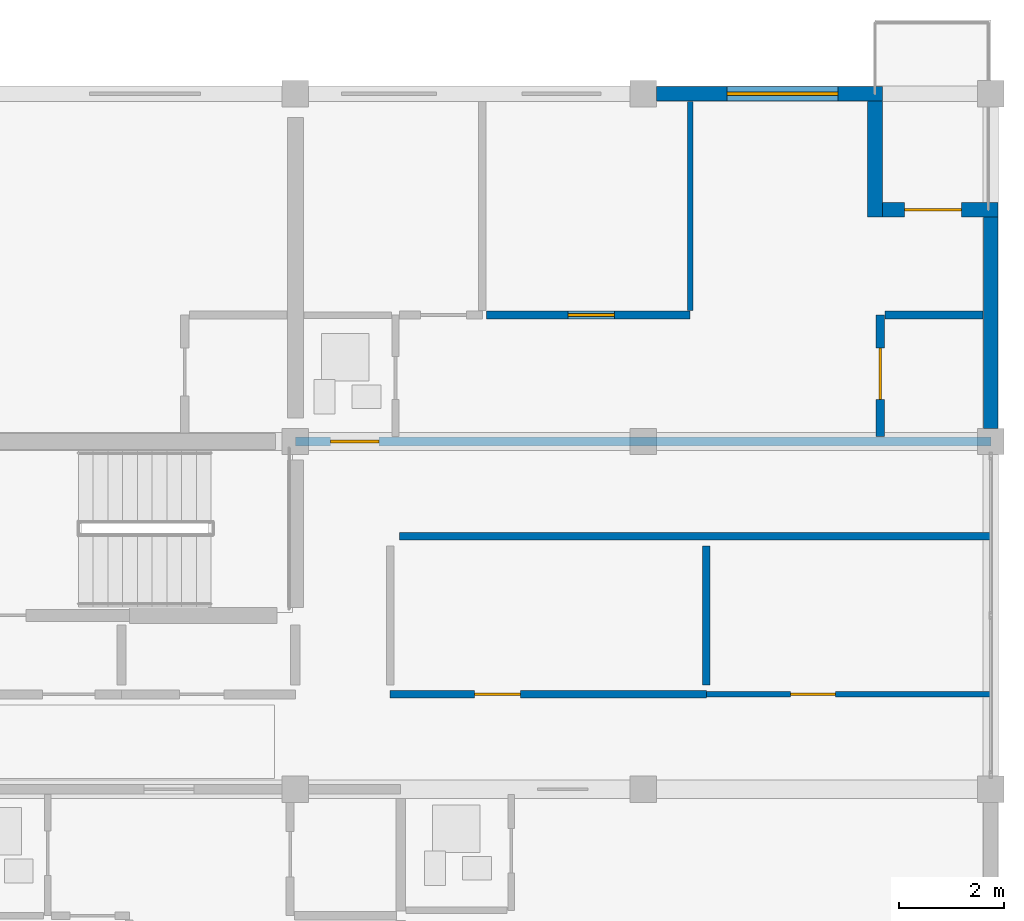
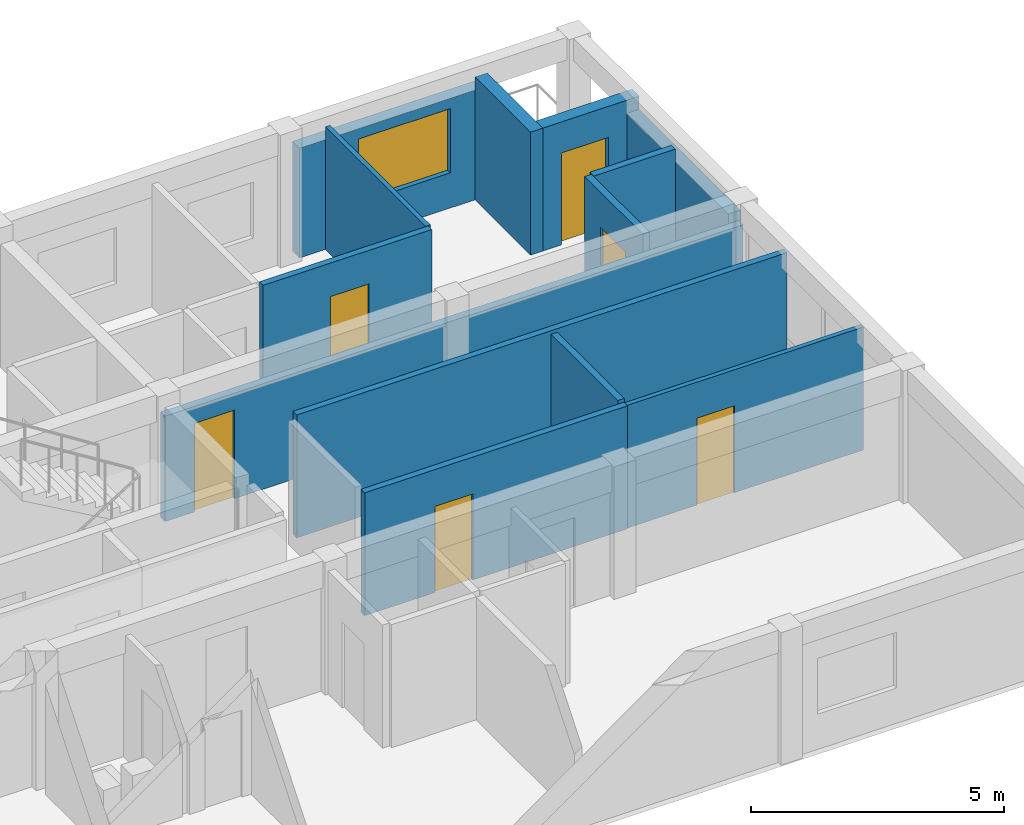
# One storey, part 38 of 46: 13 walls, 6 doors, 1 window, 7 openings.
"""IFC4 building model written with IfcOpenShell, lengths in metres."""

from ifc_helpers import new_model, si_unit, direction, frame, frame_2d, origin, place, context, subcontext, project, spatial, rectangle, extrude, material, layer, layer_set, type_object, element, fill, save


model = new_model("IFC4")

# Units and contexts
model_context = context("Model", 3, precision=1e-05, world=origin(), true_north=direction((0.0, 1.0)))
body_context = subcontext(model_context, "Body", "Model", "MODEL_VIEW")
ifc_project = project(units=[si_unit("LENGTHUNIT", "METRE"), si_unit("AREAUNIT", "SQUARE_METRE"), si_unit("VOLUMEUNIT", "CUBIC_METRE"), si_unit("PLANEANGLEUNIT", "RADIAN"), si_unit("MASSUNIT", "GRAM", prefix="KILO")], contexts=[model_context])

# Site, building, storey
site_placement = place(None, origin())
site = spatial("IfcSite", under=ifc_project, at=site_placement, CompositionType="ELEMENT")
building_placement = place(site_placement, origin())
building = spatial("IfcBuilding", under=site, at=building_placement, Name="Kernevlak Ridge Housing Community", CompositionType="ELEMENT")
storey_placement = place(building_placement, frame((0.0, 0.0, 27.60009765625)))
storey = spatial("IfcBuildingStorey", under=building, at=storey_placement, Name="L08", CompositionType="ELEMENT", Elevation=27.60009765625)

# Wall, opening, window
ifc_material_1 = material(Name="Concrete block masonry M10", Category="masonry")
ifc_layer_1 = layer(ifc_material_1, 0.280029296875, Name="Concrete block masonry M10")
ifc_layer_set_1 = layer_set([ifc_layer_1], Name="Concrete block masonry M10")
wall_type_1 = type_object("IfcWallType", Name="EW-03", PredefinedType="STANDARD", material=ifc_layer_set_1)
wall_1_placement = place(storey_placement, frame((146.050048828125, 102.39990234375, 0.0), z_axis=(0.0, 0.0, 1.0), x_axis=(1.0, 0.0, 0.0)))
wall_1 = element("IfcWall", 1, at=wall_1_placement, inside=storey, type_object=wall_type_1, Name="Exterior wall EW-03 L08 428", PredefinedType="STANDARD", context=body_context, shape_type="SweptSolid", body=[
    extrude(rectangle(XDim=4.2900390625, YDim=0.280029296875, at=frame_2d((2.14501953125, 0.0))), origin(), (0.0, 0.0, 1.0), 2.64990234375),
])
opening_1_placement = place(wall_1_placement, frame((1.345947265625, 0.0, 0.85009765625)))
opening_1 = element("IfcOpeningElement", 2, at=opening_1_placement, cuts=wall_1, Name="Opening WT-05", PredefinedType="OPENING", context=body_context, shape_type="SweptSolid", body=[
    extrude(rectangle(XDim=2.10009765625, YDim=1.550048828125, at=frame_2d((1.050048828125, 0.77490234375))), frame((0.0, 0.14990234375, 0.0), z_axis=(0.0, -1.0, 0.0), x_axis=(1.0, 0.0, 0.0)), (0.0, 0.0, 1.0), 0.300048828125),
])
ifc_material_2 = material(Name="Aluminium EN AW-6060 anodised and laminated glass", Category="aluminium")
window_type = type_object("IfcWindowType", Name="WT-05", PartitioningType="SINGLE_PANEL", PredefinedType="WINDOW", material=ifc_material_2)
window_placement = place(opening_1_placement, origin())
window = element("IfcWindow", 3, at=window_placement, inside=storey, type_object=window_type, Name="Window WT-05 L08 334", OverallHeight=1.550048828125, OverallWidth=2.10009765625, PartitioningType="SINGLE_PANEL", PredefinedType="WINDOW", context=body_context, shape_type="SweptSolid", body=[
    extrude(rectangle(XDim=2.10009765625, YDim=1.550048828125, at=frame_2d((1.050048828125, 0.77490234375))), frame((0.0, 0.030029296875, 0.0), z_axis=(0.0, -1.0, 0.0), x_axis=(1.0, 0.0, 0.0)), (0.0, 0.0, 1.0), 0.06005859375),
])
fill(opening_1, window)

# Wall
wall_2_placement = place(storey_placement, frame((150.199951171875, 102.260009765625, 0.0), z_axis=(0.0, 0.0, 1.0), x_axis=(0.0, -1.0, 0.0)))
element("IfcWall", 4, at=wall_2_placement, inside=storey, type_object=wall_type_1, Name="Exterior wall EW-03 L08 429", PredefinedType="STANDARD", context=body_context, shape_type="SweptSolid", body=[
    extrude(rectangle(XDim=2.199951171875, YDim=0.280029296875, at=frame_2d((1.10009765625, 0.0))), origin(), (0.0, 0.0, 1.0), 2.969970703125),
])

# Wall, opening, door
wall_3_placement = place(storey_placement, frame((150.340087890625, 100.199951171875, 0.0), z_axis=(0.0, 0.0, 1.0), x_axis=(1.0, 0.0, 0.0)))
wall_3 = element("IfcWall", 5, at=wall_3_placement, inside=storey, type_object=wall_type_1, Name="Exterior wall EW-03 L08 430", PredefinedType="STANDARD", context=body_context, shape_type="SweptSolid", body=[
    extrude(rectangle(XDim=2.199951171875, YDim=0.280029296875, at=frame_2d((1.10009765625, 0.0))), origin(), (0.0, 0.0, 1.0), 2.969970703125),
])
opening_2_placement = place(wall_3_placement, frame((0.419921875, 0.0, 0.0)))
opening_2 = element("IfcOpeningElement", 6, at=opening_2_placement, cuts=wall_3, Name="Opening D862", PredefinedType="OPENING", context=body_context, shape_type="SweptSolid", body=[
    extrude(rectangle(XDim=1.080078125, YDim=2.219970703125, at=frame_2d((0.5400390625, 1.10986328125))), frame((0.0, 0.14990234375, 0.0), z_axis=(0.0, -1.0, 0.0), x_axis=(1.0, 0.0, 0.0)), (0.0, 0.0, 1.0), 0.300048828125),
])
ifc_material_3 = material(Name="Aluminium EN AW-6060 and laminated safety glass", Category="aluminium")
door_type_1 = type_object("IfcDoorType", Name="DT-34", OperationType="NOTDEFINED", PredefinedType="DOOR", material=ifc_material_3)
door_1_placement = place(opening_2_placement, origin())
door_1 = element("IfcDoor", 7, at=door_1_placement, inside=storey, type_object=door_type_1, Name="Flat B0823 corner balcony glazed door D862", OperationType="SINGLE_SWING_RIGHT", OverallHeight=2.219970703125, OverallWidth=1.080078125, PredefinedType="DOOR", context=body_context, shape_type="SweptSolid", body=[
    extrude(rectangle(XDim=1.080078125, YDim=2.219970703125, at=frame_2d((0.5400390625, 1.10986328125))), frame((0.0, 0.02490234375, 0.0), z_axis=(0.0, -1.0, 0.0), x_axis=(1.0, 0.0, 0.0)), (0.0, 0.0, 1.0), 0.050048828125),
])
fill(opening_2, door_1)

# Wall
wall_4_placement = place(storey_placement, frame((152.39990234375, 96.050048828125, 0.0), z_axis=(0.0, 0.0, 1.0), x_axis=(0.0, 1.0, 0.0)))
element("IfcWall", 8, at=wall_4_placement, inside=storey, type_object=wall_type_1, Name="Exterior wall EW-03 L08 434", PredefinedType="STANDARD", context=body_context, shape_type="SweptSolid", body=[
    extrude(rectangle(XDim=4.010009765625, YDim=0.280029296875, at=frame_2d((2.0048828125, 0.0))), origin(), (0.0, 0.0, 1.0), 2.64990234375),
])

# Wall, opening, door
ifc_layer_2 = layer(ifc_material_1, 0.175048828125, Name="Concrete block masonry M10")
ifc_layer_set_2 = layer_set([ifc_layer_2], Name="Concrete block masonry M10")
wall_type_2 = type_object("IfcWallType", Name="PW-02", PredefinedType="PARTITIONING", material=ifc_layer_set_2)
wall_5_placement = place(storey_placement, frame((139.199951171875, 95.800048828125, 0.0), z_axis=(0.0, 0.0, 1.0), x_axis=(1.0, 0.0, 0.0)))
wall_5 = element("IfcWall", 9, at=wall_5_placement, inside=storey, type_object=wall_type_2, Name="Interior wall PW-02 WAL-INT-L08-1693", PredefinedType="PARTITIONING", context=body_context, shape_type="SweptSolid", body=[
    extrude(rectangle(XDim=13.199951171875, YDim=0.175048828125, at=frame_2d((6.60009765625, 0.0))), origin(), (0.0, 0.0, 1.0), 2.5498046875),
])
opening_3_placement = place(wall_5_placement, frame((0.669921875, 0.0, 0.0)))
opening_3 = element("IfcOpeningElement", 10, at=opening_3_placement, cuts=wall_5, Name="Opening D857", PredefinedType="OPENING", context=body_context, shape_type="SweptSolid", body=[
    extrude(rectangle(XDim=0.919921875, YDim=2.139892578125, at=frame_2d((0.4599609375, 1.06982421875))), frame((0.0, 0.097412109375, 0.0), z_axis=(0.0, -1.0, 0.0), x_axis=(1.0, 0.0, 0.0)), (0.0, 0.0, 1.0), 0.195068359375),
])
ifc_material_4 = material(Name="Hardwood timber solid-core fire leaf", Category="wood")
door_type_2 = type_object("IfcDoorType", Name="DT-20", OperationType="NOTDEFINED", PredefinedType="DOOR", material=ifc_material_4)
door_2_placement = place(opening_3_placement, origin())
door_2 = element("IfcDoor", 11, at=door_2_placement, inside=storey, type_object=door_type_2, Name="Flat B0823 entrance fire door D857", OperationType="SINGLE_SWING_LEFT", OverallHeight=2.139892578125, OverallWidth=0.919921875, PredefinedType="DOOR", context=body_context, shape_type="SweptSolid", body=[
    extrude(rectangle(XDim=0.919921875, YDim=2.139892578125, at=frame_2d((0.4599609375, 1.06982421875))), frame((0.0, 0.02490234375, 0.0), z_axis=(0.0, -1.0, 0.0), x_axis=(1.0, 0.0, 0.0)), (0.0, 0.0, 1.0), 0.050048828125),
])
fill(opening_3, door_2)

ifc_layer_3 = layer(ifc_material_1, 0.14501953125, Name="Concrete block masonry M10")
ifc_layer_set_3 = layer_set([ifc_layer_3], Name="Concrete block masonry M10")
wall_type_3 = type_object("IfcWallType", Name="PW-03", PredefinedType="PARTITIONING", material=ifc_layer_set_3)
wall_6_placement = place(storey_placement, frame((141.0, 91.0, 0.0), z_axis=(0.0, 0.0, 1.0), x_axis=(1.0, 0.0, 0.0)))
wall_6 = element("IfcWall", 12, at=wall_6_placement, inside=storey, type_object=wall_type_3, Name="Interior wall PW-03 WAL-INT-L08-1655", PredefinedType="PARTITIONING", context=body_context, shape_type="SweptSolid", body=[
    extrude(rectangle(XDim=6.0, YDim=0.14501953125, at=frame_2d((3.0, 0.0))), origin(), (0.0, 0.0, 1.0), 2.969970703125),
])
opening_4_placement = place(wall_6_placement, frame((1.60009765625, 0.0, 0.0)))
opening_4 = element("IfcOpeningElement", 13, at=opening_4_placement, cuts=wall_6, Name="Opening D837", PredefinedType="OPENING", context=body_context, shape_type="SweptSolid", body=[
    extrude(rectangle(XDim=0.8701171875, YDim=2.080078125, at=frame_2d((0.43505859375, 1.0400390625))), frame((0.0, 0.08251953125, 0.0), z_axis=(0.0, -1.0, 0.0), x_axis=(1.0, 0.0, 0.0)), (0.0, 0.0, 1.0), 0.1650390625),
])
ifc_material_5 = material(Name="Hardwood timber leaf", Category="wood")
door_type_3 = type_object("IfcDoorType", Name="DT-32", OperationType="NOTDEFINED", PredefinedType="DOOR", material=ifc_material_5)
door_3_placement = place(opening_4_placement, origin())
door_3 = element("IfcDoor", 14, at=door_3_placement, inside=storey, type_object=door_type_3, Name="Block B Laundry room door D837", OperationType="SINGLE_SWING_LEFT", OverallHeight=2.080078125, OverallWidth=0.8701171875, PredefinedType="DOOR", context=body_context, shape_type="SweptSolid", body=[
    extrude(rectangle(XDim=0.8701171875, YDim=2.080078125, at=frame_2d((0.43505859375, 1.0400390625))), frame((0.0, 0.02490234375, 0.0), z_axis=(0.0, -1.0, 0.0), x_axis=(1.0, 0.0, 0.0)), (0.0, 0.0, 1.0), 0.050048828125),
])
fill(opening_4, door_3)

# Walls
wall_7_placement = place(storey_placement, frame((147.0, 91.179931640625, 0.0), z_axis=(0.0, 0.0, 1.0), x_axis=(0.0, 1.0, 0.0)))
element("IfcWall", 15, at=wall_7_placement, inside=storey, type_object=wall_type_3, Name="Interior wall PW-03 WAL-INT-L08-1657", PredefinedType="PARTITIONING", context=body_context, shape_type="SweptSolid", body=[
    extrude(rectangle(XDim=2.64013671875, YDim=0.14501953125, at=frame_2d((1.320068359375, 0.0))), origin(), (0.0, 0.0, 1.0), 2.969970703125),
])
wall_8_placement = place(storey_placement, frame((141.179931640625, 94.0, 0.0), z_axis=(0.0, 0.0, 1.0), x_axis=(1.0, 0.0, 0.0)))
element("IfcWall", 16, at=wall_8_placement, inside=storey, type_object=wall_type_3, Name="Interior wall PW-03 WAL-INT-L08-1658", PredefinedType="PARTITIONING", context=body_context, shape_type="SweptSolid", body=[
    extrude(rectangle(XDim=11.199951171875, YDim=0.14501953125, at=frame_2d((5.60009765625, 0.0))), origin(), (0.0, 0.0, 1.0), 2.969970703125),
])

# Wall, opening, door
wall_9_placement = place(storey_placement, frame((142.83251953125, 98.199951171875, 0.0), z_axis=(0.0, 0.0, 1.0), x_axis=(1.0, 0.0, 0.0)))
wall_9 = element("IfcWall", 17, at=wall_9_placement, inside=storey, type_object=wall_type_3, Name="Interior wall PW-03 WAL-INT-L08-1700", PredefinedType="PARTITIONING", context=body_context, shape_type="SweptSolid", body=[
    extrude(rectangle(XDim=3.859375, YDim=0.14501953125, at=frame_2d((1.9296875, 0.0))), origin(), (0.0, 0.0, 1.0), 2.969970703125),
])
opening_5_placement = place(wall_9_placement, frame((1.5458984375, 0.0, 0.0)))
opening_5 = element("IfcOpeningElement", 18, at=opening_5_placement, cuts=wall_9, Name="Opening D861", PredefinedType="OPENING", context=body_context, shape_type="SweptSolid", body=[
    extrude(rectangle(XDim=0.8798828125, YDim=2.159912109375, at=frame_2d((0.43994140625, 1.080078125))), frame((0.0, 0.08251953125, 0.0), z_axis=(0.0, -1.0, 0.0), x_axis=(1.0, 0.0, 0.0)), (0.0, 0.0, 1.0), 0.1650390625),
])
door_type_4 = type_object("IfcDoorType", Name="DT-26", OperationType="NOTDEFINED", PredefinedType="DOOR", material=ifc_material_5)
door_4_placement = place(opening_5_placement, origin())
door_4 = element("IfcDoor", 19, at=door_4_placement, inside=storey, type_object=door_type_4, Name="Flat B0823 bedroom door D861", OperationType="SINGLE_SWING_LEFT", OverallHeight=2.159912109375, OverallWidth=0.8798828125, PredefinedType="DOOR", context=body_context, shape_type="SweptSolid", body=[
    extrude(rectangle(XDim=0.8798828125, YDim=2.159912109375, at=frame_2d((0.43994140625, 1.080078125))), frame((0.0, 0.02490234375, 0.0), z_axis=(0.0, -1.0, 0.0), x_axis=(1.0, 0.0, 0.0)), (0.0, 0.0, 1.0), 0.050048828125),
])
fill(opening_5, door_4)

ifc_material_6 = material(Name="Gypsum plasterboard EN 520", Category="gypsum")
ifc_layer_4 = layer(ifc_material_6, 0.155029296875, Name="Gypsum plasterboard EN 520")
ifc_layer_set_4 = layer_set([ifc_layer_4], Name="Gypsum plasterboard EN 520")
wall_type_4 = type_object("IfcWallType", Name="PW-05", PredefinedType="PARTITIONING", material=ifc_layer_set_4)
wall_10_placement = place(storey_placement, frame((150.300048828125, 95.8974609375, 0.0), z_axis=(0.0, 0.0, 1.0), x_axis=(0.0, 1.0, 0.0)))
wall_10 = element("IfcWall", 20, at=wall_10_placement, inside=storey, type_object=wall_type_4, Name="Interior wall PW-05 WAL-INT-L08-1696", PredefinedType="PARTITIONING", context=body_context, shape_type="SweptSolid", body=[
    extrude(rectangle(XDim=2.302490234375, YDim=0.155029296875, at=frame_2d((1.1513671875, 0.0))), origin(), (0.0, 0.0, 1.0), 2.969970703125),
])
opening_6_placement = place(wall_10_placement, frame((0.699951171875, 0.0, 0.0)))
opening_6 = element("IfcOpeningElement", 21, at=opening_6_placement, cuts=wall_10, Name="Opening D859", PredefinedType="OPENING", context=body_context, shape_type="SweptSolid", body=[
    extrude(rectangle(XDim=0.97998046875, YDim=2.1201171875, at=frame_2d((0.489990234375, 1.06005859375))), frame((0.0, 0.08740234375, 0.0), z_axis=(0.0, -1.0, 0.0), x_axis=(1.0, 0.0, 0.0)), (0.0, 0.0, 1.0), 0.175048828125),
])
door_type_5 = type_object("IfcDoorType", Name="DT-24", OperationType="NOTDEFINED", PredefinedType="DOOR", material=ifc_material_5)
door_5_placement = place(opening_6_placement, origin())
door_5 = element("IfcDoor", 22, at=door_5_placement, inside=storey, type_object=door_type_5, Name="Flat B0823 kitchen door D859", OperationType="SINGLE_SWING_LEFT", OverallHeight=2.1201171875, OverallWidth=0.97998046875, PredefinedType="DOOR", context=body_context, shape_type="SweptSolid", body=[
    extrude(rectangle(XDim=0.97998046875, YDim=2.1201171875, at=frame_2d((0.489990234375, 1.06005859375))), frame((0.0, 0.02490234375, 0.0), z_axis=(0.0, -1.0, 0.0), x_axis=(1.0, 0.0, 0.0)), (0.0, 0.0, 1.0), 0.050048828125),
])
fill(opening_6, door_5)

# Wall
wall_11_placement = place(storey_placement, frame((150.387451171875, 98.199951171875, 0.0), z_axis=(0.0, 0.0, 1.0), x_axis=(1.0, 0.0, 0.0)))
element("IfcWall", 23, at=wall_11_placement, inside=storey, type_object=wall_type_4, Name="Interior wall PW-05 WAL-INT-L08-1697", PredefinedType="PARTITIONING", context=body_context, shape_type="SweptSolid", body=[
    extrude(rectangle(XDim=1.862548828125, YDim=0.155029296875, at=frame_2d((0.93115234375, 0.0))), origin(), (0.0, 0.0, 1.0), 2.969970703125),
])

# Wall, opening, door
ifc_layer_5 = layer(ifc_material_6, 0.10498046875, Name="Gypsum plasterboard EN 520")
ifc_layer_set_5 = layer_set([ifc_layer_5], Name="Gypsum plasterboard EN 520")
wall_type_5 = type_object("IfcWallType", Name="PW-06", PredefinedType="PARTITIONING", material=ifc_layer_set_5)
wall_12_placement = place(storey_placement, frame((147.0, 91.0, 0.0), z_axis=(0.0, 0.0, 1.0), x_axis=(1.0, 0.0, 0.0)))
wall_12 = element("IfcWall", 24, at=wall_12_placement, inside=storey, type_object=wall_type_5, Name="Interior wall PW-06 WAL-INT-L08-1656", PredefinedType="PARTITIONING", context=body_context, shape_type="SweptSolid", body=[
    extrude(rectangle(XDim=5.39990234375, YDim=0.10498046875, at=frame_2d((2.699951171875, 0.0))), origin(), (0.0, 0.0, 1.0), 2.969970703125),
])
opening_7_placement = place(wall_12_placement, frame((1.60009765625, 0.0, 0.0)))
opening_7 = element("IfcOpeningElement", 25, at=opening_7_placement, cuts=wall_12, Name="Opening D838", PredefinedType="OPENING", context=body_context, shape_type="SweptSolid", body=[
    extrude(rectangle(XDim=0.85009765625, YDim=2.10009765625, at=frame_2d((0.425048828125, 1.050048828125))), frame((0.0, 0.0625, 0.0), z_axis=(0.0, -1.0, 0.0), x_axis=(1.0, 0.0, 0.0)), (0.0, 0.0, 1.0), 0.125),
])
door_type_6 = type_object("IfcDoorType", Name="DT-03", OperationType="NOTDEFINED", PredefinedType="DOOR", material=ifc_material_5)
door_6_placement = place(opening_7_placement, origin())
door_6 = element("IfcDoor", 26, at=door_6_placement, inside=storey, type_object=door_type_6, Name="Block B Study room door D838", OperationType="SINGLE_SWING_RIGHT", OverallHeight=2.10009765625, OverallWidth=0.85009765625, PredefinedType="DOOR", context=body_context, shape_type="SweptSolid", body=[
    extrude(rectangle(XDim=0.85009765625, YDim=2.10009765625, at=frame_2d((0.425048828125, 1.050048828125))), frame((0.0, 0.02490234375, 0.0), z_axis=(0.0, -1.0, 0.0), x_axis=(1.0, 0.0, 0.0)), (0.0, 0.0, 1.0), 0.050048828125),
])
fill(opening_7, door_6)

# Wall
wall_13_placement = place(storey_placement, frame((146.69189453125, 98.282470703125, 0.0), z_axis=(0.0, 0.0, 1.0), x_axis=(0.0, 1.0, 0.0)))
element("IfcWall", 27, at=wall_13_placement, inside=storey, type_object=wall_type_5, Name="Interior wall PW-06 WAL-INT-L08-1701", PredefinedType="PARTITIONING", context=body_context, shape_type="SweptSolid", body=[
    extrude(rectangle(XDim=3.967529296875, YDim=0.10498046875, at=frame_2d((1.98388671875, 0.0))), origin(), (0.0, 0.0, 1.0), 2.969970703125),
])

save(model, "model.ifc")
